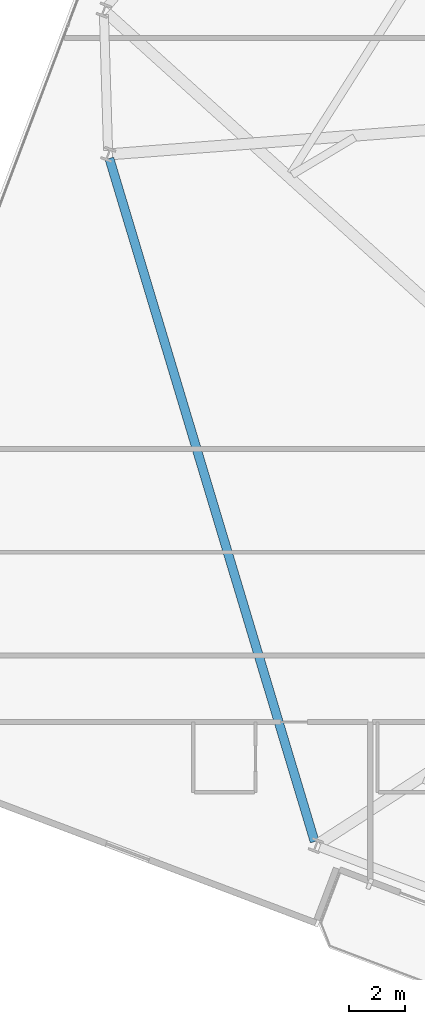
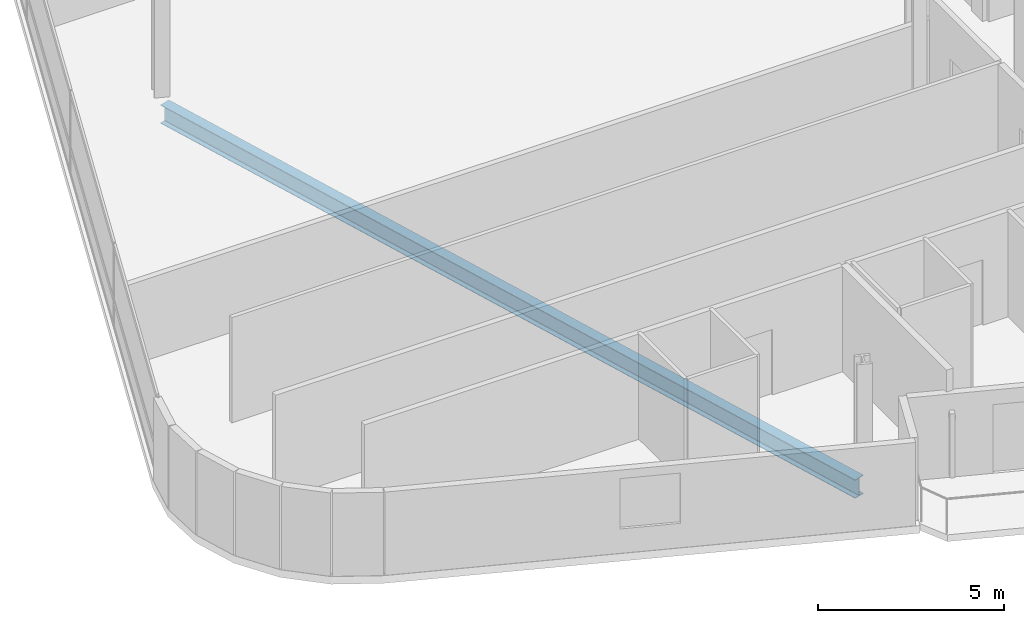
# One storey, part 5 of 25: 1 beam.
"""IFC4 building model written with IfcOpenShell, lengths in metres."""

import ifcopenshell
import ifcopenshell.guid

model = None  # the IFC model being written
_history = None  # IfcOwnerHistory: only IFC2X3 demands one
_inside = {}  # id of a spatial element -> (the spatial element, [elements in it])
_under = {}  # id of a project, library or spatial element -> (it, [spatial elements below it])
_declared = {}  # id of a project -> (the project, [libraries it declares])
_typed = {}  # id of a type object -> (the type object, [elements of that type])
_made_of = {}  # id of a material, layer set ... -> (it, [elements and type objects made of it])


def new_model(schema):
    """Start an empty IFC model of exactly this schema.

    Asked for "IFC4X3", IfcOpenShell would pick the latest addendum, in which some entities
    have other attributes; the version numbers below select the first issue.
    IFC2X3 requires an IfcOwnerHistory on every rooted entity: one is made here for all.
    """
    global model, _history
    if schema == "IFC4X3":
        model = ifcopenshell.file(schema_version=(4, 3, 0, 0))
    else:
        model = ifcopenshell.file(schema=schema)
    _inside.clear()
    _under.clear()
    _declared.clear()
    _typed.clear()
    _made_of.clear()
    _history = None
    if model.schema == "IFC2X3":
        org = make("IfcOrganization", Name="unknown")
        user = make(
            "IfcPersonAndOrganization",
            ThePerson=make("IfcPerson", FamilyName="unknown"),
            TheOrganization=org,
        )
        app = make(
            "IfcApplication",
            ApplicationDeveloper=org,
            Version="unknown",
            ApplicationFullName="unknown",
            ApplicationIdentifier="unknown",
        )
        _history = make(
            "IfcOwnerHistory",
            OwningUser=user,
            OwningApplication=app,
            ChangeAction="ADDED",
            CreationDate=0,
        )
    return model


def make(cls, **values):
    """One entity of the class cls with the attributes given. An attribute that is None is left unset."""
    return model.create_entity(
        cls, **{name: value for name, value in values.items() if value is not None}
    )


def rooted(cls, **values):
    """An entity with a GlobalId (a new one), such as an element, a storey or a relation."""
    return make(cls, GlobalId=ifcopenshell.guid.new(), OwnerHistory=_history, **values)


def si_unit(unit_type, name, prefix=None):
    """IfcSIUnit, for example si_unit("LENGTHUNIT", "METRE", prefix="MILLI")."""
    return make("IfcSIUnit", UnitType=unit_type, Prefix=prefix, Name=name)


def assignment(units):
    """IfcUnitAssignment: the units of a project."""
    return None if units is None else make("IfcUnitAssignment", Units=units)


def point(xyz):
    """IfcCartesianPoint."""
    return None if xyz is None else make("IfcCartesianPoint", Coordinates=xyz)


def direction(xyz):
    """IfcDirection."""
    return None if xyz is None else make("IfcDirection", DirectionRatios=xyz)


def frame(location, z_axis=None, x_axis=None):
    """IfcAxis2Placement3D, a coordinate frame: its origin and axes. An axis left out is left unset."""
    return make(
        "IfcAxis2Placement3D",
        Location=point(location),
        Axis=direction(z_axis),
        RefDirection=direction(x_axis),
    )


def frame_2d(location, x_axis=None):
    """IfcAxis2Placement2D, a coordinate frame in the plane: its origin and x axis."""
    return make(
        "IfcAxis2Placement2D", Location=point(location), RefDirection=direction(x_axis)
    )


def origin():
    """The frame at (0, 0, 0) with its axes left unset."""
    return frame((0.0, 0.0, 0.0))


def origin_2d():
    """The frame at (0, 0) in the plane with its x axis left unset."""
    return frame_2d((0.0, 0.0))


def place(relative_to, where):
    """IfcLocalPlacement: puts the frame where relative to a parent placement (None: the world)."""
    return make(
        "IfcLocalPlacement", PlacementRelTo=relative_to, RelativePlacement=where
    )


def context(
    kind, dimensions, precision=None, world=None, true_north=None, identifier=None
):
    """IfcGeometricRepresentationContext, for example the 3D "Model" context."""
    return make(
        "IfcGeometricRepresentationContext",
        ContextIdentifier=identifier,
        ContextType=kind,
        CoordinateSpaceDimension=dimensions,
        Precision=precision,
        WorldCoordinateSystem=world,
        TrueNorth=true_north,
    )


def subcontext(parent, identifier, kind, view, scale=None):
    """IfcGeometricRepresentationSubContext, for example "Body" below "Model"."""
    return make(
        "IfcGeometricRepresentationSubContext",
        ContextIdentifier=identifier,
        ContextType=kind,
        ParentContext=parent,
        TargetScale=scale,
        TargetView=view,
    )


def project(units=None, contexts=None):
    """IfcProject with its units and contexts."""
    return rooted(
        "IfcProject",
        Name="project",
        RepresentationContexts=contexts,
        UnitsInContext=assignment(units),
    )


def spatial(cls, under=None, at=None, **own):
    """A site, building, storey or space (cls), placed at a placement, below another one or the project."""
    s = rooted(cls, ObjectPlacement=at, **own)
    if under is not None:
        _under.setdefault(under.id(), (under, []))[1].append(s)
    return s


def profile(cls, at=None, kind="AREA", **sizes):
    """A parametric profile (cls). Its sizes go by their IFC names, for example OverallWidth=200.0."""
    return make(cls, ProfileType=kind, Position=at, **sizes)


def i_section(**sizes):
    """IfcIShapeProfileDef."""
    return profile("IfcIShapeProfileDef", **sizes)


def extrude(swept, where, along, depth):
    """IfcExtrudedAreaSolid: the profile swept, set in the frame where, extruded along a direction by depth."""
    return make(
        "IfcExtrudedAreaSolid",
        SweptArea=swept,
        Position=where,
        ExtrudedDirection=direction(along),
        Depth=depth,
    )


def shape(context_of_items, identifier, shape_type, items):
    """IfcShapeRepresentation: the items that make up one representation, for example the "Body"."""
    return make(
        "IfcShapeRepresentation",
        ContextOfItems=context_of_items,
        RepresentationIdentifier=identifier,
        RepresentationType=shape_type,
        Items=items,
    )


def material(Name=None, Category=None):
    """IfcMaterial."""
    return make("IfcMaterial", Name=Name, Category=Category)


def material_profile(
    of_material, cross_section, Name=None, Category=None, Priority=None
):
    """IfcMaterialProfile: a cross section and its material."""
    return make(
        "IfcMaterialProfile",
        Name=Name,
        Material=of_material,
        Profile=cross_section,
        Priority=Priority,
        Category=Category,
    )


def profile_set(profiles, Name=None, composite=None):
    """IfcMaterialProfileSet."""
    return make(
        "IfcMaterialProfileSet",
        Name=Name,
        MaterialProfiles=profiles,
        CompositeProfile=composite,
    )


def made_of(thing, what):
    """Note that an element or type object is made of a material, layer set ...; save() writes the relation."""
    if what is not None:
        _made_of.setdefault(what.id(), (what, []))[1].append(thing)
    return thing


def type_object(cls, material=None, **own):
    """A type object (cls), such as IfcWallType, which elements share."""
    return made_of(rooted(cls, **own), material)


def element(
    cls,
    number,
    at=None,
    inside=None,
    cuts=None,
    type_object=None,
    material=None,
    context=None,
    identifier="Body",
    shape_type=None,
    held_by="IfcProductDefinitionShape",
    body=None,
    shapes=None,
    **own,
):
    """One element of the class cls, such as IfcWall. Its Tag is "e" and its number.

    at: its placement. inside: the storey or other place that contains it. cuts: it is an
    opening in that element (IfcRelVoidsElement). A single representation is given by context,
    identifier, shape_type and body (its items); several are given by shapes. held_by: the class
    of the entity that holds the representations. save() writes the other relations.
    """
    e = rooted(cls, Tag="e%d" % number, ObjectPlacement=at, **own)
    if body is not None:
        shapes = [shape(context, identifier, shape_type, body)]
    if shapes is not None:
        e.Representation = make(held_by, Representations=shapes)
    if inside is not None:
        _inside.setdefault(inside.id(), (inside, []))[1].append(e)
    if cuts is not None:
        rooted(
            "IfcRelVoidsElement", RelatingBuildingElement=cuts, RelatedOpeningElement=e
        )
    if type_object is not None:
        _typed.setdefault(type_object.id(), (type_object, []))[1].append(e)
    return made_of(e, material)


def aggregate(whole, parts):
    """IfcRelAggregates: a whole, such as a stair, and the parts it consists of."""
    return rooted("IfcRelAggregates", RelatingObject=whole, RelatedObjects=parts)


def save(model, path):
    """Write the relations noted so far, then the file.

    IfcRelAggregates (storeys below a building ...), IfcRelContainedInSpatialStructure (elements
    in a storey), IfcRelDefinesByType, IfcRelAssociatesMaterial and IfcRelDeclares: one each for
    every whole, place, type object, material and project.
    """
    for whole, parts in _under.values():
        aggregate(whole, parts)
    for where, things in _inside.values():
        rooted(
            "IfcRelContainedInSpatialStructure",
            RelatedElements=things,
            RelatingStructure=where,
        )
    for kind, things in _typed.values():
        rooted("IfcRelDefinesByType", RelatedObjects=things, RelatingType=kind)
    for what, things in _made_of.values():
        rooted("IfcRelAssociatesMaterial", RelatedObjects=things, RelatingMaterial=what)
    for by, libraries in _declared.values():
        rooted("IfcRelDeclares", RelatingContext=by, RelatedDefinitions=libraries)
    model.write(path)


model = new_model("IFC4")

# Units and contexts
model_context = context("Model", 3, precision=1e-05, world=origin(), true_north=direction((0.0, 1.0)))
body_context = subcontext(model_context, "Body", "Model", "MODEL_VIEW")
ifc_project = project(units=[si_unit("LENGTHUNIT", "METRE"), si_unit("AREAUNIT", "SQUARE_METRE"), si_unit("VOLUMEUNIT", "CUBIC_METRE"), si_unit("PLANEANGLEUNIT", "RADIAN"), si_unit("MASSUNIT", "GRAM", prefix="KILO")], contexts=[model_context])

# Site, building, storey
site_placement = place(None, origin())
site = spatial("IfcSite", under=ifc_project, at=site_placement, CompositionType="ELEMENT")
building_placement = place(site_placement, origin())
building = spatial("IfcBuilding", under=site, at=building_placement, Name="Varnelok Gate Tower", CompositionType="ELEMENT")
storey_placement = place(building_placement, frame((0.0, 0.0, 79.89990234375)))
storey = spatial("IfcBuildingStorey", under=building, at=storey_placement, Name="L19", CompositionType="ELEMENT", Elevation=79.89990234375)

# Beam
ifc_material = material(Name="Structural Steel ASTM A992 Grade 50", Category="steel")
ifc_material_profile = material_profile(ifc_material, i_section(OverallWidth=0.323974609375, OverallDepth=0.611083984375, WebThickness=0.0126953125, FlangeThickness=0.01904296875, FilletRadius=0.01806640625, at=origin_2d()), Name="W24X104")
ifc_profile_set = profile_set([ifc_material_profile], Name="Structural Steel ASTM A992 Grade 50")
beam_type = type_object("IfcBeamType", Name="BM-SPN-W24X104", PredefinedType="SPANDREL", material=ifc_profile_set)
beam_placement = place(storey_placement, frame((7.124267578125, 37.102294921875, -0.555419921875), z_axis=(0.287734186054, -0.957710310154, 0.0), x_axis=(0.957710310154, 0.287734186054, 0.0)))
element("IfcBeam", 1, at=beam_placement, inside=storey, type_object=beam_type, Name="L19 Perimeter Spandrel Beam 16", PredefinedType="SPANDREL", context=body_context, shape_type="SweptSolid", body=[
    extrude(i_section(OverallWidth=0.323974609375, OverallDepth=0.611083984375, WebThickness=0.0126953125, FlangeThickness=0.01904296875, FilletRadius=0.01806640625, at=origin_2d()), origin(), (0.0, 0.0, 1.0), 25.626220703125),
])

save(model, "model.ifc")
